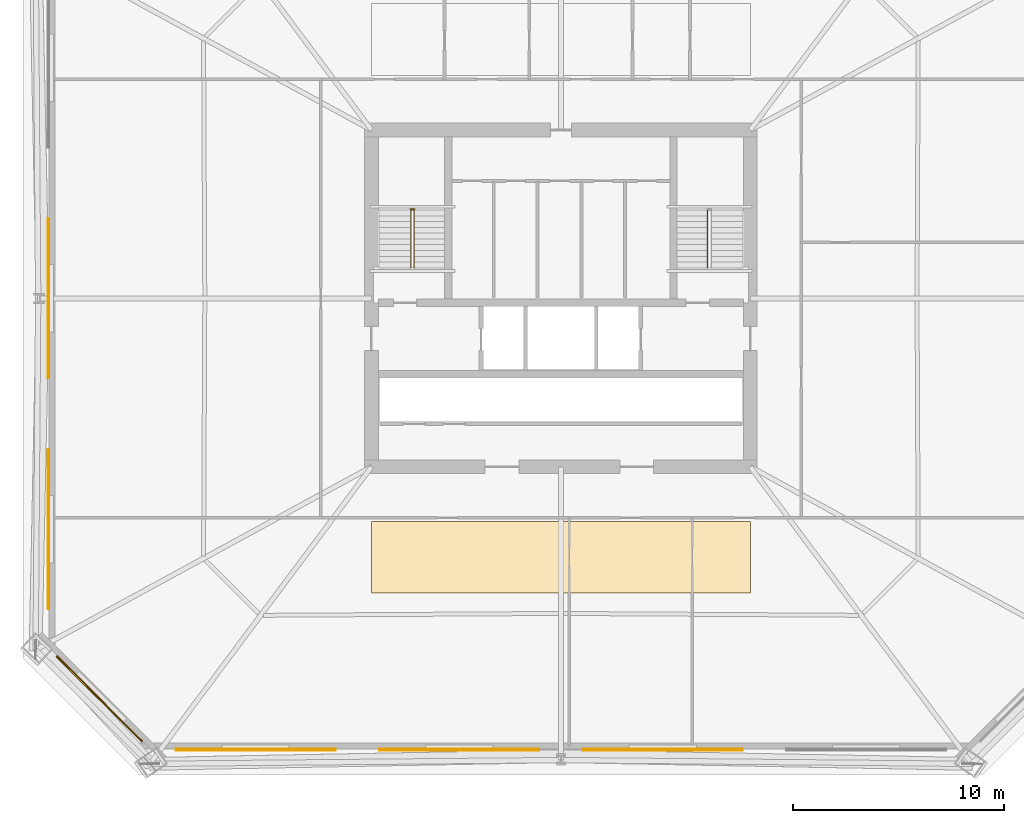
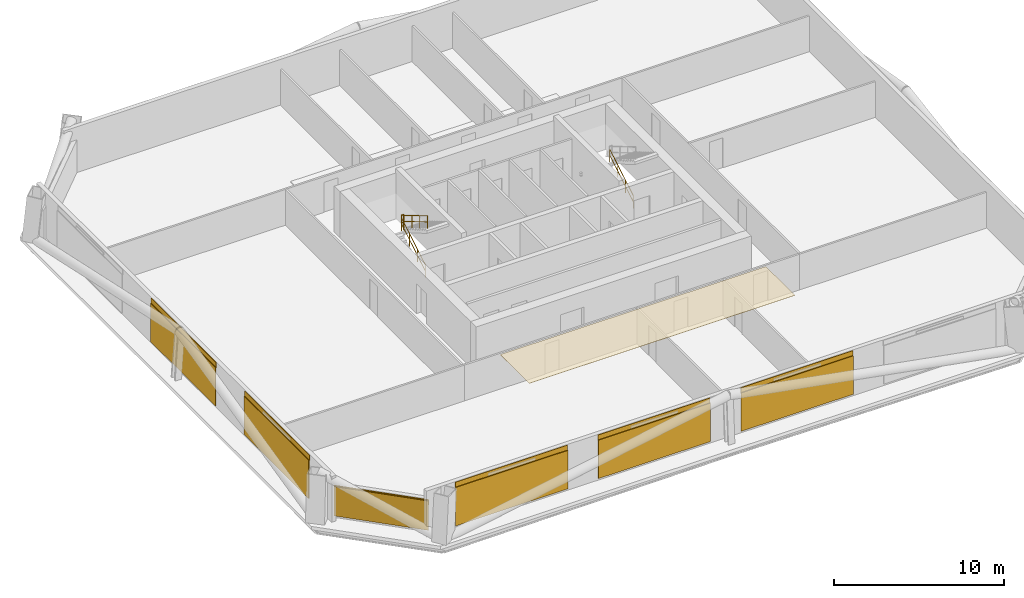
# One storey, part 7 of 9: 7 coverings, 6 shading devices, 4 railings.
"""IFC4 building model written with IfcOpenShell, lengths in metres."""

import ifcopenshell
import ifcopenshell.guid

model = None  # the IFC model being written
_history = None  # IfcOwnerHistory: only IFC2X3 demands one
_inside = {}  # id of a spatial element -> (the spatial element, [elements in it])
_under = {}  # id of a project, library or spatial element -> (it, [spatial elements below it])
_declared = {}  # id of a project -> (the project, [libraries it declares])
_typed = {}  # id of a type object -> (the type object, [elements of that type])
_made_of = {}  # id of a material, layer set ... -> (it, [elements and type objects made of it])


def new_model(schema):
    """Start an empty IFC model of exactly this schema.

    Asked for "IFC4X3", IfcOpenShell would pick the latest addendum, in which some entities
    have other attributes; the version numbers below select the first issue.
    IFC2X3 requires an IfcOwnerHistory on every rooted entity: one is made here for all.
    """
    global model, _history
    if schema == "IFC4X3":
        model = ifcopenshell.file(schema_version=(4, 3, 0, 0))
    else:
        model = ifcopenshell.file(schema=schema)
    _inside.clear()
    _under.clear()
    _declared.clear()
    _typed.clear()
    _made_of.clear()
    _history = None
    if model.schema == "IFC2X3":
        org = make("IfcOrganization", Name="unknown")
        user = make(
            "IfcPersonAndOrganization",
            ThePerson=make("IfcPerson", FamilyName="unknown"),
            TheOrganization=org,
        )
        app = make(
            "IfcApplication",
            ApplicationDeveloper=org,
            Version="unknown",
            ApplicationFullName="unknown",
            ApplicationIdentifier="unknown",
        )
        _history = make(
            "IfcOwnerHistory",
            OwningUser=user,
            OwningApplication=app,
            ChangeAction="ADDED",
            CreationDate=0,
        )
    return model


def make(cls, **values):
    """One entity of the class cls with the attributes given. An attribute that is None is left unset."""
    return model.create_entity(
        cls, **{name: value for name, value in values.items() if value is not None}
    )


def rooted(cls, **values):
    """An entity with a GlobalId (a new one), such as an element, a storey or a relation."""
    return make(cls, GlobalId=ifcopenshell.guid.new(), OwnerHistory=_history, **values)


def si_unit(unit_type, name, prefix=None):
    """IfcSIUnit, for example si_unit("LENGTHUNIT", "METRE", prefix="MILLI")."""
    return make("IfcSIUnit", UnitType=unit_type, Prefix=prefix, Name=name)


def assignment(units):
    """IfcUnitAssignment: the units of a project."""
    return None if units is None else make("IfcUnitAssignment", Units=units)


def point(xyz):
    """IfcCartesianPoint."""
    return None if xyz is None else make("IfcCartesianPoint", Coordinates=xyz)


def direction(xyz):
    """IfcDirection."""
    return None if xyz is None else make("IfcDirection", DirectionRatios=xyz)


def frame(location, z_axis=None, x_axis=None):
    """IfcAxis2Placement3D, a coordinate frame: its origin and axes. An axis left out is left unset."""
    return make(
        "IfcAxis2Placement3D",
        Location=point(location),
        Axis=direction(z_axis),
        RefDirection=direction(x_axis),
    )


def frame_2d(location, x_axis=None):
    """IfcAxis2Placement2D, a coordinate frame in the plane: its origin and x axis."""
    return make(
        "IfcAxis2Placement2D", Location=point(location), RefDirection=direction(x_axis)
    )


def origin():
    """The frame at (0, 0, 0) with its axes left unset."""
    return frame((0.0, 0.0, 0.0))


def origin_2d():
    """The frame at (0, 0) in the plane with its x axis left unset."""
    return frame_2d((0.0, 0.0))


def place(relative_to, where):
    """IfcLocalPlacement: puts the frame where relative to a parent placement (None: the world)."""
    return make(
        "IfcLocalPlacement", PlacementRelTo=relative_to, RelativePlacement=where
    )


def context(
    kind, dimensions, precision=None, world=None, true_north=None, identifier=None
):
    """IfcGeometricRepresentationContext, for example the 3D "Model" context."""
    return make(
        "IfcGeometricRepresentationContext",
        ContextIdentifier=identifier,
        ContextType=kind,
        CoordinateSpaceDimension=dimensions,
        Precision=precision,
        WorldCoordinateSystem=world,
        TrueNorth=true_north,
    )


def subcontext(parent, identifier, kind, view, scale=None):
    """IfcGeometricRepresentationSubContext, for example "Body" below "Model"."""
    return make(
        "IfcGeometricRepresentationSubContext",
        ContextIdentifier=identifier,
        ContextType=kind,
        ParentContext=parent,
        TargetScale=scale,
        TargetView=view,
    )


def project(units=None, contexts=None):
    """IfcProject with its units and contexts."""
    return rooted(
        "IfcProject",
        Name="project",
        RepresentationContexts=contexts,
        UnitsInContext=assignment(units),
    )


def spatial(cls, under=None, at=None, **own):
    """A site, building, storey or space (cls), placed at a placement, below another one or the project."""
    s = rooted(cls, ObjectPlacement=at, **own)
    if under is not None:
        _under.setdefault(under.id(), (under, []))[1].append(s)
    return s


def polyline(points):
    """IfcPolyline through the points."""
    return make("IfcPolyline", Points=[point(p) for p in points])


def profile(cls, at=None, kind="AREA", **sizes):
    """A parametric profile (cls). Its sizes go by their IFC names, for example OverallWidth=200.0."""
    return make(cls, ProfileType=kind, Position=at, **sizes)


def rectangle(**sizes):
    """IfcRectangleProfileDef."""
    return profile("IfcRectangleProfileDef", **sizes)


def circle(**sizes):
    """IfcCircleProfileDef."""
    return profile("IfcCircleProfileDef", **sizes)


def outline(outer, holes=None, kind="AREA"):
    """IfcArbitraryClosedProfileDef: a profile drawn as a closed curve; with holes, ...WithVoids."""
    if holes is None:
        return make("IfcArbitraryClosedProfileDef", ProfileType=kind, OuterCurve=outer)
    return make(
        "IfcArbitraryProfileDefWithVoids",
        ProfileType=kind,
        OuterCurve=outer,
        InnerCurves=holes,
    )


def extrude(swept, where, along, depth):
    """IfcExtrudedAreaSolid: the profile swept, set in the frame where, extruded along a direction by depth."""
    return make(
        "IfcExtrudedAreaSolid",
        SweptArea=swept,
        Position=where,
        ExtrudedDirection=direction(along),
        Depth=depth,
    )


def shape(context_of_items, identifier, shape_type, items):
    """IfcShapeRepresentation: the items that make up one representation, for example the "Body"."""
    return make(
        "IfcShapeRepresentation",
        ContextOfItems=context_of_items,
        RepresentationIdentifier=identifier,
        RepresentationType=shape_type,
        Items=items,
    )


def material(Name=None, Category=None):
    """IfcMaterial."""
    return make("IfcMaterial", Name=Name, Category=Category)


def layer(
    of_material, thickness, ventilated=None, Name=None, Category=None, Priority=None
):
    """IfcMaterialLayer: one layer of a wall or slab, of a material (None: an air gap)."""
    return make(
        "IfcMaterialLayer",
        Material=of_material,
        LayerThickness=thickness,
        IsVentilated=ventilated,
        Name=Name,
        Category=Category,
        Priority=Priority,
    )


def layer_set(layers, Name=None):
    """IfcMaterialLayerSet."""
    return make("IfcMaterialLayerSet", MaterialLayers=layers, LayerSetName=Name)


def made_of(thing, what):
    """Note that an element or type object is made of a material, layer set ...; save() writes the relation."""
    if what is not None:
        _made_of.setdefault(what.id(), (what, []))[1].append(thing)
    return thing


def type_object(cls, material=None, **own):
    """A type object (cls), such as IfcWallType, which elements share."""
    return made_of(rooted(cls, **own), material)


def element(
    cls,
    number,
    at=None,
    inside=None,
    cuts=None,
    type_object=None,
    material=None,
    context=None,
    identifier="Body",
    shape_type=None,
    held_by="IfcProductDefinitionShape",
    body=None,
    shapes=None,
    **own,
):
    """One element of the class cls, such as IfcWall. Its Tag is "e" and its number.

    at: its placement. inside: the storey or other place that contains it. cuts: it is an
    opening in that element (IfcRelVoidsElement). A single representation is given by context,
    identifier, shape_type and body (its items); several are given by shapes. held_by: the class
    of the entity that holds the representations. save() writes the other relations.
    """
    e = rooted(cls, Tag="e%d" % number, ObjectPlacement=at, **own)
    if body is not None:
        shapes = [shape(context, identifier, shape_type, body)]
    if shapes is not None:
        e.Representation = make(held_by, Representations=shapes)
    if inside is not None:
        _inside.setdefault(inside.id(), (inside, []))[1].append(e)
    if cuts is not None:
        rooted(
            "IfcRelVoidsElement", RelatingBuildingElement=cuts, RelatedOpeningElement=e
        )
    if type_object is not None:
        _typed.setdefault(type_object.id(), (type_object, []))[1].append(e)
    return made_of(e, material)


def aggregate(whole, parts):
    """IfcRelAggregates: a whole, such as a stair, and the parts it consists of."""
    return rooted("IfcRelAggregates", RelatingObject=whole, RelatedObjects=parts)


def save(model, path):
    """Write the relations noted so far, then the file.

    IfcRelAggregates (storeys below a building ...), IfcRelContainedInSpatialStructure (elements
    in a storey), IfcRelDefinesByType, IfcRelAssociatesMaterial and IfcRelDeclares: one each for
    every whole, place, type object, material and project.
    """
    for whole, parts in _under.values():
        aggregate(whole, parts)
    for where, things in _inside.values():
        rooted(
            "IfcRelContainedInSpatialStructure",
            RelatedElements=things,
            RelatingStructure=where,
        )
    for kind, things in _typed.values():
        rooted("IfcRelDefinesByType", RelatedObjects=things, RelatingType=kind)
    for what, things in _made_of.values():
        rooted("IfcRelAssociatesMaterial", RelatedObjects=things, RelatingMaterial=what)
    for by, libraries in _declared.values():
        rooted("IfcRelDeclares", RelatingContext=by, RelatedDefinitions=libraries)
    model.write(path)


model = new_model("IFC4")

# Units and contexts
model_context = context("Model", 3, precision=1e-05, world=origin(), true_north=direction((0.0, 1.0)))
body_context = subcontext(model_context, "Body", "Model", "MODEL_VIEW")
ifc_project = project(units=[si_unit("LENGTHUNIT", "METRE"), si_unit("AREAUNIT", "SQUARE_METRE"), si_unit("VOLUMEUNIT", "CUBIC_METRE"), si_unit("PLANEANGLEUNIT", "RADIAN"), si_unit("MASSUNIT", "GRAM", prefix="KILO")], contexts=[model_context])

# Site, building, storey
site_placement = place(None, origin())
site = spatial("IfcSite", under=ifc_project, at=site_placement, CompositionType="ELEMENT")
building_placement = place(site_placement, origin())
building = spatial("IfcBuilding", under=site, at=building_placement, Name="Caelvoria Tower", CompositionType="ELEMENT")
storey_placement = place(building_placement, frame((0.0, 0.0, 82.0)))
storey = spatial("IfcBuildingStorey", under=building, at=storey_placement, Name="L21", CompositionType="ELEMENT", Elevation=82.0)

# Coverings
ifc_material_1 = material(Name="Acoustic Mineral Fibre Tile", Category="gypsum")
ifc_layer_1 = layer(ifc_material_1, 0.02490234375, Name="Acoustic Mineral Fibre Tile")
ifc_layer_set_1 = layer_set([ifc_layer_1], Name="Mineral-Fibre Acoustic Suspended Ceiling 25 - Acoustic Mineral Fibre Tile")
covering_type_1 = type_object("IfcCoveringType", Name="Mineral-Fibre Acoustic Suspended Ceiling 25", PredefinedType="CEILING", material=ifc_layer_set_1)
covering_1_placement = place(storey_placement, frame((0.0, 0.0, 2.554931640625)))
element("IfcCovering", 1, at=covering_1_placement, inside=storey, type_object=covering_type_1, Name="Suspended Acoustic Ceiling L21", PredefinedType="CEILING", context=body_context, shape_type="SweptSolid", body=[
    extrude(outline(polyline([(37.0, 18.0), (55.0, 18.0), (55.0, 21.39990234375), (37.0, 21.39990234375), (37.0, 18.0)])), origin(), (0.0, 0.0, 1.0), 0.025146484375),
])
ifc_material_2 = material(Name="Perforated Architectural Bronze Cladding Screen", Category="bronze")
ifc_layer_2 = layer(ifc_material_2, 0.0400390625, Name="Perforated Architectural Bronze Cladding Screen")
ifc_layer_set_2 = layer_set([ifc_layer_2], Name="Perforated Bronze Louvre Cladding Band 40 - Perforated Architectural Bronze Cladding Screen")
covering_type_2 = type_object("IfcCoveringType", Name="Perforated Bronze Louvre Cladding Band 40", PredefinedType="CLADDING", material=ifc_layer_set_2)
for number, where, z_axis, x_axis, name in (
    (2, (31.4951171875, 10.577880859375, 2.860107421875), (0.0, 0.0, 1.0), (1.0, 0.0, 0.0), "Perforated Bronze Screen Band L21-E0-00"),
    (3, (41.1650390625, 10.577880859375, 2.860107421875), (0.0, 0.0, 1.0), (1.0, 0.0, 0.0), "Perforated Bronze Screen Band L21-E0-01"),
    (4, (50.8349609375, 10.577880859375, 2.860107421875), (0.0, 0.0, 1.0), (1.0, 0.0, 0.0), "Perforated Bronze Screen Band L21-E0-02"),
    (5, (21.677978515625, 32.0, 2.860107421875), (0.0, 0.0, 1.0), (0.0, -1.0, 0.0), "Perforated Bronze Screen Band L21-E6-01"),
    (6, (21.677978515625, 21.0400390625, 2.860107421875), (0.0, 0.0, 1.0), (0.0, -1.0, 0.0), "Perforated Bronze Screen Band L21-E6-02"),
):
    element("IfcCovering", number, at=place(storey_placement, frame(where, z_axis=z_axis, x_axis=x_axis)), inside=storey, type_object=covering_type_2, Name=name, PredefinedType="CLADDING", context=body_context, shape_type="SweptSolid", body=[
        extrude(rectangle(XDim=7.60009765625, YDim=0.0400390625, at=origin_2d()), origin(), (0.0, 0.0, 1.0), 0.39990234375),
    ])
covering_2_placement = place(storey_placement, frame((24.09326171875, 12.993408203125, 1.923095703125), z_axis=(0.0, 0.0, 1.0), x_axis=(0.707106781187, -0.707106781187, 0.0)))
element("IfcCovering", 7, at=covering_2_placement, inside=storey, type_object=covering_type_2, Name="Perforated Bronze Screen Band L21-E7-00", PredefinedType="CLADDING", context=body_context, shape_type="SweptSolid", body=[
    extrude(rectangle(XDim=5.745361328125, YDim=0.0400390625, at=origin_2d()), origin(), (0.0, 0.0, 1.0), 0.39990234375),
])

# Shading devices
ifc_material_3 = material(Name="Perforated Architectural Bronze Alloy Panel", Category="bronze")
ifc_layer_3 = layer(ifc_material_3, 0.044921875, Name="Perforated Architectural Bronze Alloy Panel")
ifc_layer_set_3 = layer_set([ifc_layer_3], Name="Perforated Bronze Solar Screen Panel SCREEN - Perforated Architectural Bronze Alloy Panel")
shading_device_type = type_object("IfcShadingDeviceType", Name="Perforated Bronze Solar Screen Panel SCREEN", PredefinedType="USERDEFINED", material=ifc_layer_set_3)
for number, where, z_axis, x_axis, name in (
    (8, (31.4951171875, 10.534912109375, 0.159912109375), (0.0, 0.0, 1.0), (1.0, 0.0, 0.0), "Perforated Bronze Solar Screen L21-E0-00"),
    (9, (41.1650390625, 10.534912109375, 0.159912109375), (0.0, 0.0, 1.0), (1.0, 0.0, 0.0), "Perforated Bronze Solar Screen L21-E0-01"),
    (10, (50.8349609375, 10.534912109375, 0.159912109375), (0.0, 0.0, 1.0), (1.0, 0.0, 0.0), "Perforated Bronze Solar Screen L21-E0-02"),
    (11, (21.635009765625, 32.0, 0.159912109375), (0.0, 0.0, 1.0), (0.0, -1.0, 0.0), "Perforated Bronze Solar Screen L21-E6-01"),
    (12, (21.635009765625, 21.0400390625, 0.159912109375), (0.0, 0.0, 1.0), (0.0, -1.0, 0.0), "Perforated Bronze Solar Screen L21-E6-02"),
):
    element("IfcShadingDevice", number, at=place(storey_placement, frame(where, z_axis=z_axis, x_axis=x_axis)), inside=storey, type_object=shading_device_type, Name=name, ObjectType="SCREEN", PredefinedType="USERDEFINED", context=body_context, shape_type="SweptSolid", body=[
        extrude(rectangle(XDim=7.60009765625, YDim=0.044921875, at=origin_2d()), origin(), (0.0, 0.0, 1.0), 2.75),
    ])
shading_device_placement = place(storey_placement, frame((24.06298828125, 12.962890625, 0.159912109375), z_axis=(0.0, 0.0, 1.0), x_axis=(0.707106781187, -0.707106781187, 0.0)))
element("IfcShadingDevice", 13, at=shading_device_placement, inside=storey, type_object=shading_device_type, Name="Perforated Bronze Solar Screen L21-E7-00", ObjectType="SCREEN", PredefinedType="USERDEFINED", context=body_context, shape_type="SweptSolid", body=[
    extrude(rectangle(XDim=5.745361328125, YDim=0.044921875, at=origin_2d()), origin(), (0.0, 0.0, 1.0), 2.10302734375),
])

# Railings
ifc_material_4 = material(Name="Brushed Stainless Steel Tube", Category="steel")
railing_type_1 = type_object("IfcRailingType", Name="Stair Tubular Stainless Handrail 920", PredefinedType="HANDRAIL", material=ifc_material_4)
railing_1_placement = place(storey_placement, frame((38.8701171875, 33.449951171875, 0.16357421875)))
element("IfcRailing", 14, at=railing_1_placement, inside=storey, type_object=railing_type_1, Name="ST-01 Flight 1 Handrail L21", PredefinedType="HANDRAIL", context=body_context, shape_type="SweptSolid", body=[
    extrude(circle(Radius=0.02392578125, at=origin_2d()), frame((0.0, 0.0, 0.89599609375), z_axis=(0.0, 0.859351957796, 0.511384603436), x_axis=(-1.0, 0.0, 0.0)), (0.0, 0.0, 1.0), 3.2001953125),
    extrude(circle(Radius=0.02392578125, at=origin_2d()), frame((0.0, 0.0, 0.4599609375), z_axis=(0.0, 0.859351957796, 0.511384603436), x_axis=(-1.0, 0.0, 0.0)), (0.0, 0.0, 1.0), 3.2001953125),
    extrude(circle(Radius=0.02099609375, at=origin_2d()), origin(), (0.0, 0.0, 1.0), 0.871826171875),
    extrude(circle(Radius=0.02099609375, at=origin_2d()), frame((0.0, 0.916748046875, 0.54541015625)), (0.0, 0.0, 1.0), 0.871826171875),
    extrude(circle(Radius=0.02099609375, at=origin_2d()), frame((0.0, 1.833251953125, 1.091064453125)), (0.0, 0.0, 1.0), 0.871826171875),
    extrude(circle(Radius=0.02099609375, at=origin_2d()), frame((0.0, 2.75, 1.636474609375)), (0.0, 0.0, 1.0), 0.871826171875),
])
railing_2_placement = place(storey_placement, frame((39.030029296875, 36.199951171875, 1.963623046875)))
element("IfcRailing", 15, at=railing_2_placement, inside=storey, type_object=railing_type_1, Name="ST-01 Flight 2 Handrail L21", PredefinedType="HANDRAIL", context=body_context, shape_type="SweptSolid", body=[
    extrude(circle(Radius=0.02392578125, at=origin_2d()), frame((0.0, 0.0, 0.89599609375), z_axis=(0.0, -0.859351957796, 0.511384603436), x_axis=(1.0, 0.0, 0.0)), (0.0, 0.0, 1.0), 3.2001953125),
    extrude(circle(Radius=0.02392578125, at=origin_2d()), frame((0.0, 0.0, 0.4599609375), z_axis=(0.0, -0.859351957796, 0.511384603436), x_axis=(1.0, 0.0, 0.0)), (0.0, 0.0, 1.0), 3.2001953125),
    extrude(circle(Radius=0.02099609375, at=origin_2d()), origin(), (0.0, 0.0, 1.0), 0.871826171875),
    extrude(circle(Radius=0.02099609375, at=origin_2d()), frame((0.0, -0.916748046875, 0.54541015625)), (0.0, 0.0, 1.0), 0.871826171875),
    extrude(circle(Radius=0.02099609375, at=origin_2d()), frame((0.0, -1.833251953125, 1.091064453125)), (0.0, 0.0, 1.0), 0.871826171875),
    extrude(circle(Radius=0.02099609375, at=origin_2d()), frame((0.0, -2.75, 1.636474609375)), (0.0, 0.0, 1.0), 0.871826171875),
])
railing_3_placement = place(storey_placement, frame((52.969970703125, 33.449951171875, 0.16357421875)))
element("IfcRailing", 16, at=railing_3_placement, inside=storey, type_object=railing_type_1, Name="ST-02 Flight 1 Handrail L21", PredefinedType="HANDRAIL", context=body_context, shape_type="SweptSolid", body=[
    extrude(circle(Radius=0.02392578125, at=origin_2d()), frame((0.0, 0.0, 0.89599609375), z_axis=(0.0, 0.859351957796, 0.511384603436), x_axis=(-1.0, 0.0, 0.0)), (0.0, 0.0, 1.0), 3.2001953125),
    extrude(circle(Radius=0.02392578125, at=origin_2d()), frame((0.0, 0.0, 0.4599609375), z_axis=(0.0, 0.859351957796, 0.511384603436), x_axis=(-1.0, 0.0, 0.0)), (0.0, 0.0, 1.0), 3.2001953125),
    extrude(circle(Radius=0.02099609375, at=origin_2d()), origin(), (0.0, 0.0, 1.0), 0.871826171875),
    extrude(circle(Radius=0.02099609375, at=origin_2d()), frame((0.0, 0.916748046875, 0.54541015625)), (0.0, 0.0, 1.0), 0.871826171875),
    extrude(circle(Radius=0.02099609375, at=origin_2d()), frame((0.0, 1.833251953125, 1.091064453125)), (0.0, 0.0, 1.0), 0.871826171875),
    extrude(circle(Radius=0.02099609375, at=origin_2d()), frame((0.0, 2.75, 1.636474609375)), (0.0, 0.0, 1.0), 0.871826171875),
])
ifc_material_5 = material(Name="Brushed Stainless Steel Guardrail", Category="steel")
railing_type_2 = type_object("IfcRailingType", Name="Stair Well and Ramp Guardrail 1120", PredefinedType="GUARDRAIL", material=ifc_material_5)
railing_4_placement = place(storey_placement, frame((38.8701171875, 36.239990234375, 1.800048828125)))
element("IfcRailing", 17, at=railing_4_placement, inside=storey, type_object=railing_type_2, Name="ST-01 Half-Landing Well Guard L21", PredefinedType="GUARDRAIL", context=body_context, shape_type="SweptSolid", body=[
    extrude(circle(Radius=0.02392578125, at=origin_2d()), frame((0.0, 0.0, 1.09619140625), z_axis=(1.0, 0.0, 0.0), x_axis=(0.0, 1.0, 0.0)), (0.0, 0.0, 1.0), 0.159912109375),
    extrude(circle(Radius=0.02392578125, at=origin_2d()), frame((0.0, 0.0, 0.56005859375), z_axis=(1.0, 0.0, 0.0), x_axis=(0.0, 1.0, 0.0)), (0.0, 0.0, 1.0), 0.159912109375),
    extrude(circle(Radius=0.02099609375, at=origin_2d()), origin(), (0.0, 0.0, 1.0), 1.072021484375),
    extrude(circle(Radius=0.02099609375, at=origin_2d()), frame((0.159912109375, 0.0, 0.0)), (0.0, 0.0, 1.0), 1.072021484375),
])

save(model, "model.ifc")
